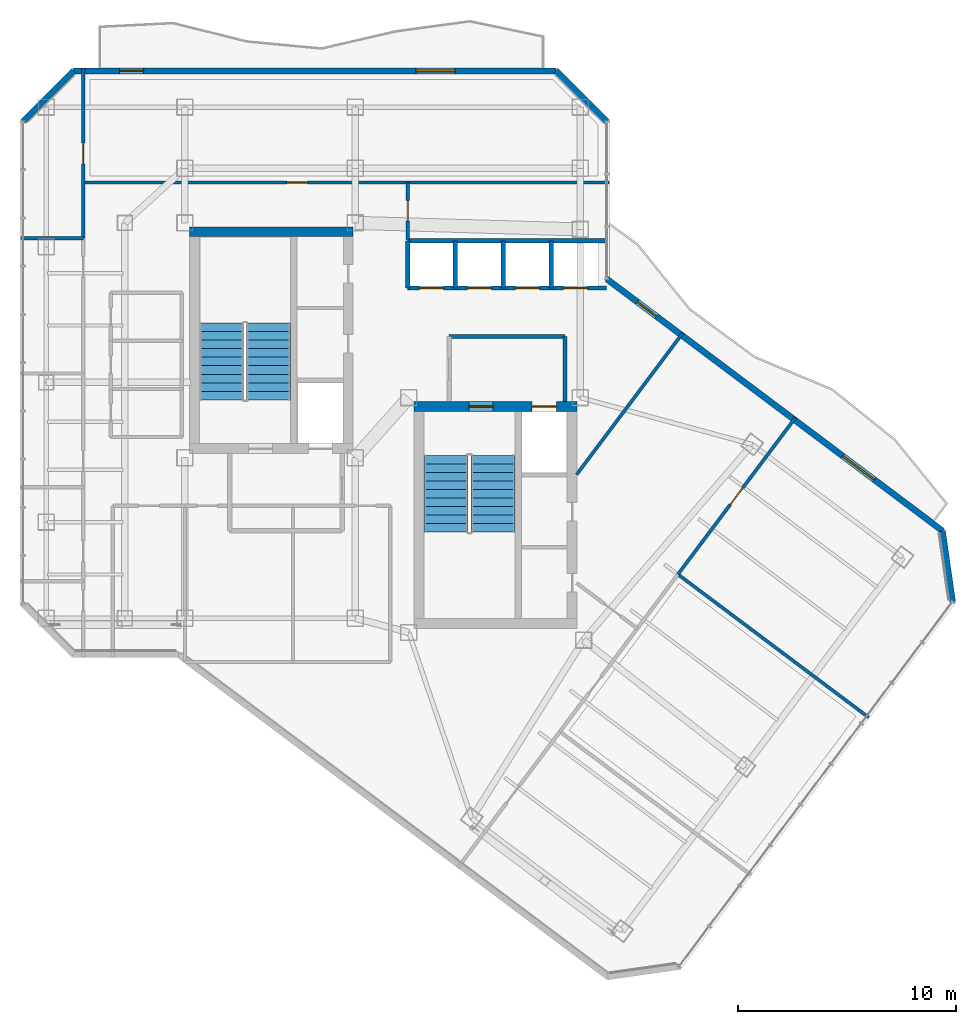
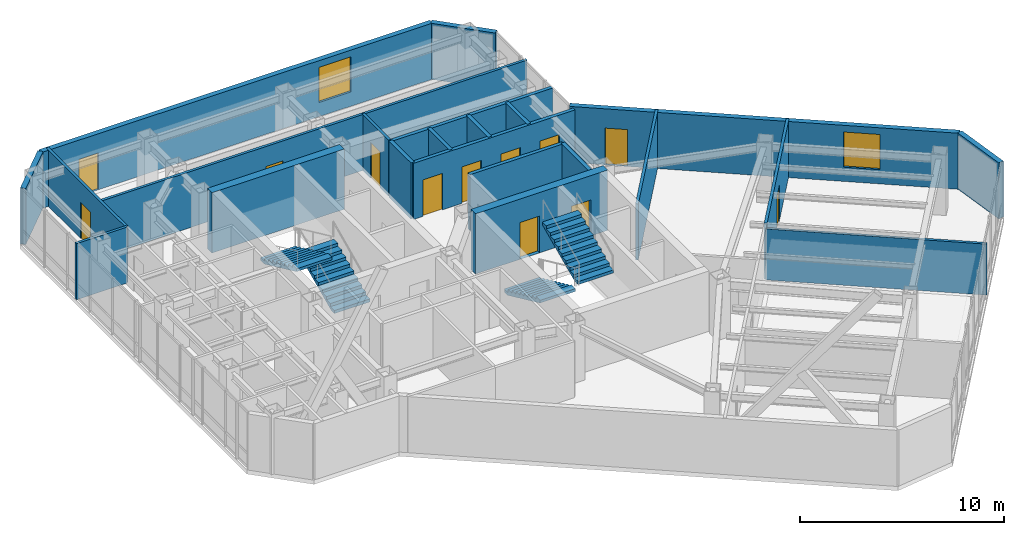
# One storey, part 21 of 24: 22 walls, 12 doors, 4 stair flights, 2 windows, 14 openings, 2 elements without a shape of their own.
"""IFC4 building model written with IfcOpenShell, lengths in metres."""

from ifc_helpers import new_model, si_unit, direction, frame, frame_2d, origin, place, context, subcontext, project, spatial, polyline, rectangle, outline, extrude, material, layer, layer_set, type_object, element, fill, aggregate, save


model = new_model("IFC4")

# Units and contexts
model_context = context("Model", 3, precision=1e-05, world=origin(), true_north=direction((0.0, 1.0)))
body_context = subcontext(model_context, "Body", "Model", "MODEL_VIEW")
ifc_project = project(units=[si_unit("LENGTHUNIT", "METRE"), si_unit("AREAUNIT", "SQUARE_METRE"), si_unit("VOLUMEUNIT", "CUBIC_METRE"), si_unit("PLANEANGLEUNIT", "RADIAN"), si_unit("MASSUNIT", "GRAM", prefix="KILO")], contexts=[model_context])

# Site, building, storey
site_placement = place(None, origin())
site = spatial("IfcSite", under=ifc_project, at=site_placement, CompositionType="ELEMENT")
building_placement = place(site_placement, origin())
building = spatial("IfcBuilding", under=site, at=building_placement, Name="Hatsunagi Terrace Concourse", CompositionType="ELEMENT")
storey_placement = place(building_placement, frame((0.0, 0.0, 213.14990234375)))
storey = spatial("IfcBuildingStorey", under=building, at=storey_placement, Name="L56", CompositionType="ELEMENT", Elevation=213.14990234375)

# Wall
ifc_material_1 = material(Name="Concrete Fc42", Category="concrete")
ifc_layer_1 = layer(ifc_material_1, 0.449951171875)
ifc_layer_set_1 = layer_set([ifc_layer_1], Name="CoreShearWall_Fc42_450")
wall_type_1 = type_object("IfcWallType", Name="CoreShearWall_Fc42_450", PredefinedType="SHEAR", material=ifc_layer_set_1)
wall_1_placement = place(storey_placement, frame((25.77001953125, 42.89501953125, 0.0), z_axis=(0.0, 0.0, 1.0), x_axis=(1.0, 0.0, 0.0)))
element("IfcWall", 1, at=wall_1_placement, inside=storey, type_object=wall_type_1, Name="Core A Shear Wall N L56", PredefinedType="SHEAR", context=body_context, shape_type="SweptSolid", body=[
    extrude(rectangle(XDim=7.47998046875, YDim=0.449951171875, at=frame_2d((3.739990234375, 0.0))), origin(), (0.0, 0.0, 1.0), 3.60009765625),
])

# Wall, openings, doors
wall_2_placement = place(storey_placement, frame((36.0400390625, 34.89501953125, 0.0), z_axis=(0.0, 0.0, 1.0), x_axis=(1.0, 0.0, 0.0)))
wall_2 = element("IfcWall", 2, at=wall_2_placement, inside=storey, type_object=wall_type_1, Name="Core B Shear Wall N L56", PredefinedType="SHEAR", context=body_context, shape_type="SweptSolid", body=[
    extrude(rectangle(XDim=7.4599609375, YDim=0.449951171875, at=frame_2d((3.72998046875, 0.0))), origin(), (0.0, 0.0, 1.0), 3.60009765625),
])
opening_1_placement = place(wall_2_placement, frame((2.510009765625, 0.0, 0.0)))
opening_1 = element("IfcOpeningElement", 3, at=opening_1_placement, cuts=wall_2, Name="Opening DR-110S", PredefinedType="OPENING", context=body_context, shape_type="SweptSolid", body=[
    extrude(rectangle(XDim=1.10009765625, YDim=2.199951171875, at=frame_2d((0.550048828125, 1.10009765625))), frame((0.0, 0.23486328125, 0.0), z_axis=(0.0, -1.0, 0.0), x_axis=(1.0, 0.0, 0.0)), (0.0, 0.0, 1.0), 0.469970703125),
])
opening_2_placement = place(wall_2_placement, frame((5.409912109375, 0.0, 0.0)))
opening_2 = element("IfcOpeningElement", 4, at=opening_2_placement, cuts=wall_2, Name="Opening LD-02", PredefinedType="OPENING", context=body_context, shape_type="SweptSolid", body=[
    extrude(rectangle(XDim=1.1201171875, YDim=2.14990234375, at=frame_2d((0.56005859375, 1.074951171875))), frame((0.0, 0.23486328125, 0.0), z_axis=(0.0, -1.0, 0.0), x_axis=(1.0, 0.0, 0.0)), (0.0, 0.0, 1.0), 0.469970703125),
])
ifc_material_2 = material(Name="Stainless steel", Category="steel")
door_type_1 = type_object("IfcDoorType", Name="LiftLandingDoor_LD02", OperationType="SLIDING_TO_RIGHT", PredefinedType="USERDEFINED", material=ifc_material_2)
door_1_placement = place(opening_2_placement, origin())
door_1 = element("IfcDoor", 5, at=door_1_placement, inside=storey, type_object=door_type_1, Name="Lift landing door FF-02 L56", ObjectType="SLIDING_LANDING_DOOR", OperationType="SLIDING_TO_RIGHT", OverallHeight=2.14990234375, OverallWidth=1.1201171875, PredefinedType="USERDEFINED", context=body_context, shape_type="SweptSolid", body=[
    extrude(rectangle(XDim=1.1201171875, YDim=2.14990234375, at=frame_2d((0.56005859375, 1.074951171875))), frame((0.0, 0.02490234375, 0.0), z_axis=(0.0, -1.0, 0.0), x_axis=(1.0, 0.0, 0.0)), (0.0, 0.0, 1.0), 0.050048828125),
])
fill(opening_2, door_1)
ifc_material_3 = material(Name="Painted steel", Category="steel")
door_type_2 = type_object("IfcDoorType", Name="StairFireDoor_EI60_1100", OperationType="NOTDEFINED", PredefinedType="DOOR", material=ifc_material_3)
door_2_placement = place(opening_1_placement, origin())
door_2 = element("IfcDoor", 6, at=door_2_placement, inside=storey, type_object=door_type_2, Name="Stair ST-B Exit Door L56", OperationType="SINGLE_SWING_RIGHT", OverallHeight=2.199951171875, OverallWidth=1.10009765625, PredefinedType="DOOR", context=body_context, shape_type="SweptSolid", body=[
    extrude(rectangle(XDim=1.10009765625, YDim=2.199951171875, at=frame_2d((0.550048828125, 1.10009765625))), frame((0.0, 0.02490234375, 0.0), z_axis=(0.0, -1.0, 0.0), x_axis=(1.0, 0.0, 0.0)), (0.0, 0.0, 1.0), 0.050048828125),
])
fill(opening_1, door_2)

# Wall
ifc_material_4 = material(Name="Acoustic mineral board", Category="gypsum")
ifc_layer_2 = layer(ifc_material_4, 0.14990234375)
ifc_layer_set_2 = layer_set([ifc_layer_2], Name="PartitionWall_EI60_150")
wall_type_2 = type_object("IfcWallType", Name="PartitionWall_EI60_150", PredefinedType="PARTITIONING", material=ifc_layer_set_2)
wall_3_placement = place(storey_placement, frame((18.0400390625, 42.60009765625, 0.0), z_axis=(0.0, 0.0, 1.0), x_axis=(1.0, 0.0, 0.0)))
element("IfcWall", 7, at=wall_3_placement, inside=storey, type_object=wall_type_2, Name="Interior Partition IW-L56-038", PredefinedType="PARTITIONING", context=body_context, shape_type="SweptSolid", body=[
    extrude(rectangle(XDim=2.85986328125, YDim=0.14990234375, at=frame_2d((1.429931640625, 0.0))), origin(), (0.0, 0.0, 1.0), 3.35009765625),
])

# Wall, opening, door
wall_4_placement = place(storey_placement, frame((20.89990234375, 42.60009765625, 0.0), z_axis=(0.0, 0.0, 1.0), x_axis=(0.0, 1.0, 0.0)))
wall_4 = element("IfcWall", 8, at=wall_4_placement, inside=storey, type_object=wall_type_2, Name="Interior Partition IW-L56-040", PredefinedType="PARTITIONING", context=body_context, shape_type="SweptSolid", body=[
    extrude(rectangle(XDim=7.760009765625, YDim=0.14990234375, at=frame_2d((3.8798828125, 0.0))), origin(), (0.0, 0.0, 1.0), 3.35009765625),
])
opening_3_placement = place(wall_4_placement, frame((3.405029296875, 0.0, 0.0)))
opening_3 = element("IfcOpeningElement", 9, at=opening_3_placement, cuts=wall_4, Name="Opening DR-095", PredefinedType="OPENING", context=body_context, shape_type="SweptSolid", body=[
    extrude(rectangle(XDim=0.949951171875, YDim=2.14990234375, at=frame_2d((0.47509765625, 1.074951171875))), frame((0.0, 0.0849609375, 0.0), z_axis=(0.0, -1.0, 0.0), x_axis=(1.0, 0.0, 0.0)), (0.0, 0.0, 1.0), 0.169921875),
])
ifc_material_5 = material(Name="Hardwood timber", Category="wood")
door_type_3 = type_object("IfcDoorType", Name="InteriorSuiteDoor_EI30_950", OperationType="NOTDEFINED", PredefinedType="DOOR", material=ifc_material_5)
door_3_placement = place(opening_3_placement, origin())
door_3 = element("IfcDoor", 10, at=door_3_placement, inside=storey, type_object=door_type_3, Name="Design Studio L56-OW5 Door", OperationType="SINGLE_SWING_RIGHT", OverallHeight=2.14990234375, OverallWidth=0.949951171875, PredefinedType="DOOR", context=body_context, shape_type="SweptSolid", body=[
    extrude(rectangle(XDim=0.949951171875, YDim=2.14990234375, at=frame_2d((0.47509765625, 1.074951171875))), frame((0.0, 0.02490234375, 0.0), z_axis=(0.0, -1.0, 0.0), x_axis=(1.0, 0.0, 0.0)), (0.0, 0.0, 1.0), 0.050048828125),
])
fill(opening_3, door_3)

wall_5_placement = place(storey_placement, frame((20.89990234375, 45.14990234375, 0.0), z_axis=(0.0, 0.0, 1.0), x_axis=(1.0, 0.0, 0.0)))
wall_5 = element("IfcWall", 11, at=wall_5_placement, inside=storey, type_object=wall_type_2, Name="Interior Partition IW-L56-041", PredefinedType="PARTITIONING", context=body_context, shape_type="SweptSolid", body=[
    extrude(rectangle(XDim=24.06005859375, YDim=0.14990234375, at=frame_2d((12.030029296875, 0.0))), origin(), (0.0, 0.0, 1.0), 3.35009765625),
])
opening_4_placement = place(wall_5_placement, frame((9.320068359375, 0.0, 0.0)))
opening_4 = element("IfcOpeningElement", 12, at=opening_4_placement, cuts=wall_5, Name="Opening DR-095", PredefinedType="OPENING", context=body_context, shape_type="SweptSolid", body=[
    extrude(rectangle(XDim=0.949951171875, YDim=2.14990234375, at=frame_2d((0.47509765625, 1.074951171875))), frame((0.0, 0.0849609375, 0.0), z_axis=(0.0, -1.0, 0.0), x_axis=(1.0, 0.0, 0.0)), (0.0, 0.0, 1.0), 0.169921875),
])
door_4_placement = place(opening_4_placement, origin())
door_4 = element("IfcDoor", 13, at=door_4_placement, inside=storey, type_object=door_type_3, Name="Boardroom L56-ON1 Door", OperationType="SINGLE_SWING_RIGHT", OverallHeight=2.14990234375, OverallWidth=0.949951171875, PredefinedType="DOOR", context=body_context, shape_type="SweptSolid", body=[
    extrude(rectangle(XDim=0.949951171875, YDim=2.14990234375, at=frame_2d((0.47509765625, 1.074951171875))), frame((0.0, 0.02490234375, 0.0), z_axis=(0.0, -1.0, 0.0), x_axis=(1.0, 0.0, 0.0)), (0.0, 0.0, 1.0), 0.050048828125),
])
fill(opening_4, door_4)

# Wall
wall_6_placement = place(storey_placement, frame((48.1201171875, 27.2099609375, 0.0), z_axis=(0.0, 0.0, 1.0), x_axis=(0.799997314611, -0.600003580502, 0.0)))
element("IfcWall", 14, at=wall_6_placement, inside=storey, type_object=wall_type_2, Name="Interior Partition IW-L56-044", PredefinedType="PARTITIONING", context=body_context, shape_type="SweptSolid", body=[
    extrude(rectangle(XDim=10.90966796875, YDim=0.14990234375, at=frame_2d((5.454833984375, 0.0))), origin(), (0.0, 0.0, 1.0), 3.045166015625),
])

# Wall, opening, door
wall_7_placement = place(storey_placement, frame((48.1201171875, 27.2099609375, 0.0), z_axis=(0.0, 0.0, 1.0), x_axis=(0.6, 0.8, 0.0)))
wall_7 = element("IfcWall", 15, at=wall_7_placement, inside=storey, type_object=wall_type_2, Name="Interior Partition IW-L56-046", PredefinedType="PARTITIONING", context=body_context, shape_type="SweptSolid", body=[
    extrude(rectangle(XDim=8.9599609375, YDim=0.14990234375, at=frame_2d((4.47998046875, 0.0))), origin(), (0.0, 0.0, 1.0), 3.35009765625),
])
opening_5_placement = place(wall_7_placement, frame((4.0048828125, 0.0, 0.0)))
opening_5 = element("IfcOpeningElement", 16, at=opening_5_placement, cuts=wall_7, Name="Opening DR-095", PredefinedType="OPENING", context=body_context, shape_type="SweptSolid", body=[
    extrude(rectangle(XDim=0.949951171875, YDim=2.14990234375, at=frame_2d((0.47509765625, 1.074951171875))), frame((0.0, 0.0849609375, 0.0), z_axis=(0.0, -1.0, 0.0), x_axis=(1.0, 0.0, 0.0)), (0.0, 0.0, 1.0), 0.169921875),
])
door_5_placement = place(opening_5_placement, origin())
door_5 = element("IfcDoor", 17, at=door_5_placement, inside=storey, type_object=door_type_3, Name="Research Focus Suite L56-OSE3 Door", OperationType="SINGLE_SWING_RIGHT", OverallHeight=2.14990234375, OverallWidth=0.949951171875, PredefinedType="DOOR", context=body_context, shape_type="SweptSolid", body=[
    extrude(rectangle(XDim=0.949951171875, YDim=2.14990234375, at=frame_2d((0.47509765625, 1.074951171875))), frame((0.0, 0.02490234375, 0.0), z_axis=(0.0, -1.0, 0.0), x_axis=(1.0, 0.0, 0.0)), (0.0, 0.0, 1.0), 0.050048828125),
])
fill(opening_5, door_5)

# Wall
wall_8_placement = place(storey_placement, frame((43.47998046875, 31.77294921875, 0.0), z_axis=(0.0, 0.0, 1.0), x_axis=(0.599971041729, 0.800021717885, 0.0)))
element("IfcWall", 18, at=wall_8_placement, inside=storey, type_object=wall_type_2, Name="Interior Partition IW-L56-048", PredefinedType="PARTITIONING", context=body_context, shape_type="SweptSolid", body=[
    extrude(rectangle(XDim=8.09375, YDim=0.14990234375, at=frame_2d((4.046875, 0.0))), origin(), (0.0, 0.0, 1.0), 3.35009765625),
])

# Wall, opening, door
wall_9_placement = place(storey_placement, frame((35.75, 42.550048828125, 0.0), z_axis=(0.0, 0.0, 1.0), x_axis=(0.0, 1.0, 0.0)))
wall_9 = element("IfcWall", 19, at=wall_9_placement, inside=storey, type_object=wall_type_2, Name="Interior Partition IW-L56-051", PredefinedType="PARTITIONING", context=body_context, shape_type="SweptSolid", body=[
    extrude(rectangle(XDim=2.599853515625, YDim=0.14990234375, at=frame_2d((1.2998046875, 0.0))), origin(), (0.0, 0.0, 1.0), 3.35009765625),
])
opening_6_placement = place(wall_9_placement, frame((0.824951171875, 0.0, 0.0)))
opening_6 = element("IfcOpeningElement", 20, at=opening_6_placement, cuts=wall_9, Name="Opening DR-095", PredefinedType="OPENING", context=body_context, shape_type="SweptSolid", body=[
    extrude(rectangle(XDim=0.949951171875, YDim=2.14990234375, at=frame_2d((0.47509765625, 1.074951171875))), frame((0.0, 0.0849609375, 0.0), z_axis=(0.0, -1.0, 0.0), x_axis=(1.0, 0.0, 0.0)), (0.0, 0.0, 1.0), 0.169921875),
])
door_6_placement = place(opening_6_placement, origin())
door_6 = element("IfcDoor", 21, at=door_6_placement, inside=storey, type_object=door_type_3, Name="Executive Briefing Room L56-ONEB Door", OperationType="SINGLE_SWING_RIGHT", OverallHeight=2.14990234375, OverallWidth=0.949951171875, PredefinedType="DOOR", context=body_context, shape_type="SweptSolid", body=[
    extrude(rectangle(XDim=0.949951171875, YDim=2.14990234375, at=frame_2d((0.47509765625, 1.074951171875))), frame((0.0, 0.02490234375, 0.0), z_axis=(0.0, -1.0, 0.0), x_axis=(1.0, 0.0, 0.0)), (0.0, 0.0, 1.0), 0.050048828125),
])
fill(opening_6, door_6)

# Walls
ifc_material_6 = material(Name="Acoustic mineral board", Category="gypsum")
ifc_layer_3 = layer(ifc_material_6, 0.199951171875)
ifc_layer_set_3 = layer_set([ifc_layer_3], Name="ShaftWall_EI120_200")
wall_type_3 = type_object("IfcWallType", Name="ShaftWall_EI120_200", PredefinedType="STANDARD", material=ifc_layer_set_3)
wall_10_placement = place(storey_placement, frame((37.64990234375, 38.10009765625, 0.0), z_axis=(0.0, 0.0, 1.0), x_axis=(1.0, 0.0, 0.0)))
element("IfcWall", 22, at=wall_10_placement, inside=storey, type_object=wall_type_3, Name="Interior Partition IW-L56-008", PredefinedType="STANDARD", context=body_context, shape_type="SweptSolid", body=[
    extrude(rectangle(XDim=5.300048828125, YDim=0.199951171875, at=frame_2d((2.64990234375, 0.0))), origin(), (0.0, 0.0, 1.0), 3.35009765625),
])
wall_11_placement = place(storey_placement, frame((42.949951171875, 35.1201171875, 0.0), z_axis=(0.0, 0.0, 1.0), x_axis=(0.0, 1.0, 0.0)))
element("IfcWall", 23, at=wall_11_placement, inside=storey, type_object=wall_type_3, Name="Interior Partition IW-L56-009", PredefinedType="STANDARD", context=body_context, shape_type="SweptSolid", body=[
    extrude(rectangle(XDim=2.97998046875, YDim=0.199951171875, at=frame_2d((1.489990234375, 0.0))), origin(), (0.0, 0.0, 1.0), 3.35009765625),
])
wall_12_placement = place(storey_placement, frame((35.75, 42.47998046875, 0.0), z_axis=(0.0, 0.0, 1.0), x_axis=(1.0, 0.0, 0.0)))
element("IfcWall", 24, at=wall_12_placement, inside=storey, type_object=wall_type_3, Name="Interior Partition IW-L56-011", PredefinedType="STANDARD", context=body_context, shape_type="SweptSolid", body=[
    extrude(rectangle(XDim=9.110107421875, YDim=0.199951171875, at=frame_2d((4.55517578125, 0.0))), origin(), (0.0, 0.0, 1.0), 3.35009765625),
])
for number, where, z_axis, x_axis, name in (
    (25, (35.75, 40.320068359375, 0.0), (0.0, 0.0, 1.0), (0.0, 1.0, 0.0), "Interior Partition IW-L56-012"),
    (26, (37.919921875, 40.320068359375, 0.0), (0.0, 0.0, 1.0), (0.0, 1.0, 0.0), "Interior Partition IW-L56-013"),
    (27, (40.1201171875, 40.320068359375, 0.0), (0.0, 0.0, 1.0), (0.0, 1.0, 0.0), "Interior Partition IW-L56-014"),
    (28, (42.320068359375, 40.320068359375, 0.0), (0.0, 0.0, 1.0), (0.0, 1.0, 0.0), "Interior Partition IW-L56-015"),
):
    element("IfcWall", number, at=place(storey_placement, frame(where, z_axis=z_axis, x_axis=x_axis)), inside=storey, type_object=wall_type_3, Name=name, PredefinedType="STANDARD", context=body_context, shape_type="SweptSolid", body=[
        extrude(rectangle(XDim=2.159912109375, YDim=0.199951171875, at=frame_2d((1.080078125, 0.0))), origin(), (0.0, 0.0, 1.0), 3.35009765625),
    ])

# Wall, openings, doors
wall_13_placement = place(storey_placement, frame((35.75, 40.320068359375, 0.0), z_axis=(0.0, 0.0, 1.0), x_axis=(1.0, 0.0, 0.0)))
wall_13 = element("IfcWall", 29, at=wall_13_placement, inside=storey, type_object=wall_type_3, Name="Interior Partition IW-L56-016", PredefinedType="STANDARD", context=body_context, shape_type="SweptSolid", body=[
    extrude(rectangle(XDim=9.110107421875, YDim=0.199951171875, at=frame_2d((4.55517578125, 0.0))), origin(), (0.0, 0.0, 1.0), 3.35009765625),
])
opening_7_placement = place(wall_13_placement, frame((0.530029296875, 0.0, 0.0)))
opening_7 = element("IfcOpeningElement", 30, at=opening_7_placement, cuts=wall_13, Name="Opening LD-04", PredefinedType="OPENING", context=body_context, shape_type="SweptSolid", body=[
    extrude(rectangle(XDim=1.10009765625, YDim=2.179931640625, at=frame_2d((0.550048828125, 1.08984375))), frame((0.0, 0.10986328125, 0.0), z_axis=(0.0, -1.0, 0.0), x_axis=(1.0, 0.0, 0.0)), (0.0, 0.0, 1.0), 0.219970703125),
])
opening_8_placement = place(wall_13_placement, frame((2.72998046875, 0.0, 0.0)))
opening_8 = element("IfcOpeningElement", 31, at=opening_8_placement, cuts=wall_13, Name="Opening LD-04", PredefinedType="OPENING", context=body_context, shape_type="SweptSolid", body=[
    extrude(rectangle(XDim=1.10009765625, YDim=2.179931640625, at=frame_2d((0.550048828125, 1.08984375))), frame((0.0, 0.10986328125, 0.0), z_axis=(0.0, -1.0, 0.0), x_axis=(1.0, 0.0, 0.0)), (0.0, 0.0, 1.0), 0.219970703125),
])
opening_9_placement = place(wall_13_placement, frame((4.929931640625, 0.0, 0.0)))
opening_9 = element("IfcOpeningElement", 32, at=opening_9_placement, cuts=wall_13, Name="Opening LD-04", PredefinedType="OPENING", context=body_context, shape_type="SweptSolid", body=[
    extrude(rectangle(XDim=1.10009765625, YDim=2.179931640625, at=frame_2d((0.550048828125, 1.08984375))), frame((0.0, 0.10986328125, 0.0), z_axis=(0.0, -1.0, 0.0), x_axis=(1.0, 0.0, 0.0)), (0.0, 0.0, 1.0), 0.219970703125),
])
opening_10_placement = place(wall_13_placement, frame((7.1298828125, 0.0, 0.0)))
opening_10 = element("IfcOpeningElement", 33, at=opening_10_placement, cuts=wall_13, Name="Opening LD-04", PredefinedType="OPENING", context=body_context, shape_type="SweptSolid", body=[
    extrude(rectangle(XDim=1.10009765625, YDim=2.179931640625, at=frame_2d((0.550048828125, 1.08984375))), frame((0.0, 0.10986328125, 0.0), z_axis=(0.0, -1.0, 0.0), x_axis=(1.0, 0.0, 0.0)), (0.0, 0.0, 1.0), 0.219970703125),
])
ifc_material_7 = material(Name="Stainless steel", Category="steel")
door_type_4 = type_object("IfcDoorType", Name="LiftLandingDoor_LD04", OperationType="SLIDING_TO_RIGHT", PredefinedType="USERDEFINED", material=ifc_material_7)
door_7_placement = place(opening_7_placement, origin())
door_7 = element("IfcDoor", 34, at=door_7_placement, inside=storey, type_object=door_type_4, Name="Lift landing door PL-05 L56", ObjectType="SLIDING_LANDING_DOOR", OperationType="SLIDING_TO_RIGHT", OverallHeight=2.179931640625, OverallWidth=1.10009765625, PredefinedType="USERDEFINED", context=body_context, shape_type="SweptSolid", body=[
    extrude(rectangle(XDim=1.10009765625, YDim=2.179931640625, at=frame_2d((0.550048828125, 1.08984375))), frame((0.0, 0.02490234375, 0.0), z_axis=(0.0, -1.0, 0.0), x_axis=(1.0, 0.0, 0.0)), (0.0, 0.0, 1.0), 0.050048828125),
])
fill(opening_7, door_7)
door_8_placement = place(opening_8_placement, origin())
door_8 = element("IfcDoor", 35, at=door_8_placement, inside=storey, type_object=door_type_4, Name="Lift landing door PL-06 L56", ObjectType="SLIDING_LANDING_DOOR", OperationType="SLIDING_TO_RIGHT", OverallHeight=2.179931640625, OverallWidth=1.10009765625, PredefinedType="USERDEFINED", context=body_context, shape_type="SweptSolid", body=[
    extrude(rectangle(XDim=1.10009765625, YDim=2.179931640625, at=frame_2d((0.550048828125, 1.08984375))), frame((0.0, 0.02490234375, 0.0), z_axis=(0.0, -1.0, 0.0), x_axis=(1.0, 0.0, 0.0)), (0.0, 0.0, 1.0), 0.050048828125),
])
fill(opening_8, door_8)
door_9_placement = place(opening_9_placement, origin())
door_9 = element("IfcDoor", 36, at=door_9_placement, inside=storey, type_object=door_type_4, Name="Lift landing door PL-07 L56", ObjectType="SLIDING_LANDING_DOOR", OperationType="SLIDING_TO_RIGHT", OverallHeight=2.179931640625, OverallWidth=1.10009765625, PredefinedType="USERDEFINED", context=body_context, shape_type="SweptSolid", body=[
    extrude(rectangle(XDim=1.10009765625, YDim=2.179931640625, at=frame_2d((0.550048828125, 1.08984375))), frame((0.0, 0.02490234375, 0.0), z_axis=(0.0, -1.0, 0.0), x_axis=(1.0, 0.0, 0.0)), (0.0, 0.0, 1.0), 0.050048828125),
])
fill(opening_9, door_9)
door_10_placement = place(opening_10_placement, origin())
door_10 = element("IfcDoor", 37, at=door_10_placement, inside=storey, type_object=door_type_4, Name="Lift landing door PL-08 L56", ObjectType="SLIDING_LANDING_DOOR", OperationType="SLIDING_TO_RIGHT", OverallHeight=2.179931640625, OverallWidth=1.10009765625, PredefinedType="USERDEFINED", context=body_context, shape_type="SweptSolid", body=[
    extrude(rectangle(XDim=1.10009765625, YDim=2.179931640625, at=frame_2d((0.550048828125, 1.08984375))), frame((0.0, 0.02490234375, 0.0), z_axis=(0.0, -1.0, 0.0), x_axis=(1.0, 0.0, 0.0)), (0.0, 0.0, 1.0), 0.050048828125),
])
fill(opening_10, door_10)

# Wall, openings, door, window
ifc_material_8 = material(Name="Autoclaved Lightweight Concrete and Terracotta Cladding", Category="masonry")
ifc_layer_4 = layer(ifc_material_8, 0.280029296875)
ifc_layer_set_4 = layer_set([ifc_layer_4], Name="TerracottaSpandrelWall_280")
wall_type_4 = type_object("IfcWallType", Name="TerracottaSpandrelWall_280", PredefinedType="STANDARD", material=ifc_layer_set_4)
wall_14_placement = place(storey_placement, frame((44.860107421875, 40.72998046875, 0.0), z_axis=(0.0, 0.0, 1.0), x_axis=(0.800007624502, -0.599989833863, 0.0)))
wall_14 = element("IfcWall", 38, at=wall_14_placement, inside=storey, type_object=wall_type_4, Name="Exterior Spandrel Wall EW-L56-01", PredefinedType="STANDARD", context=body_context, shape_type="SweptSolid", body=[
    extrude(rectangle(XDim=19.212158203125, YDim=0.280029296875, at=frame_2d((9.60595703125, 0.0))), origin(), (0.0, 0.0, 1.0), 3.35009765625),
])
opening_11_placement = place(wall_14_placement, frame((1.7548828125, 0.0, 0.0)))
opening_11 = element("IfcOpeningElement", 39, at=opening_11_placement, cuts=wall_14, Name="Opening BD-01", PredefinedType="OPENING", context=body_context, shape_type="SweptSolid", body=[
    extrude(rectangle(XDim=1.10009765625, YDim=2.199951171875, at=frame_2d((0.550048828125, 1.10009765625))), frame((0.0, 0.14990234375, 0.0), z_axis=(0.0, -1.0, 0.0), x_axis=(1.0, 0.0, 0.0)), (0.0, 0.0, 1.0), 0.300048828125),
])
opening_12_placement = place(wall_14_placement, frame((13.509033203125, 0.0, 0.85009765625)))
opening_12 = element("IfcOpeningElement", 40, at=opening_12_placement, cuts=wall_14, Name="Opening WIN-03", PredefinedType="OPENING", context=body_context, shape_type="SweptSolid", body=[
    extrude(rectangle(XDim=1.800048828125, YDim=2.10009765625, at=frame_2d((0.89990234375, 1.050048828125))), frame((0.0, 0.14990234375, 0.0), z_axis=(0.0, -1.0, 0.0), x_axis=(1.0, 0.0, 0.0)), (0.0, 0.0, 1.0), 0.300048828125),
])
ifc_material_9 = material(Name="Galvanised Steel and Laminated Safety Glass", Category="steel")
door_type_5 = type_object("IfcDoorType", Name="BalconyTerraceAccessDoor_1100x2200", OperationType="SINGLE_SWING_LEFT", PredefinedType="DOOR", material=ifc_material_9)
door_11_placement = place(opening_11_placement, origin())
door_11 = element("IfcDoor", 41, at=door_11_placement, inside=storey, type_object=door_type_5, Name="Engawa Balcony Door L56-BSE", OperationType="SINGLE_SWING_LEFT", OverallHeight=2.199951171875, OverallWidth=1.10009765625, PredefinedType="DOOR", context=body_context, shape_type="SweptSolid", body=[
    extrude(rectangle(XDim=1.10009765625, YDim=2.199951171875, at=frame_2d((0.550048828125, 1.10009765625))), frame((0.0, 0.02490234375, 0.0), z_axis=(0.0, -1.0, 0.0), x_axis=(1.0, 0.0, 0.0)), (0.0, 0.0, 1.0), 0.050048828125),
])
fill(opening_11, door_11)
ifc_material_10 = material(Name="Thermally Broken Aluminium and Low-E Triple Glazing", Category="aluminium")
window_type = type_object("IfcWindowType", Name="OfficeCornerFeatureWindow_1800x2100", PartitioningType="SINGLE_PANEL", PredefinedType="WINDOW", material=ifc_material_10)
window_1_placement = place(opening_12_placement, origin())
window_1 = element("IfcWindow", 42, at=window_1_placement, inside=storey, type_object=window_type, Name="Balcony Daylighting Window L56-01-2", OverallHeight=2.10009765625, OverallWidth=1.800048828125, PartitioningType="SINGLE_PANEL", PredefinedType="WINDOW", context=body_context, shape_type="SweptSolid", body=[
    extrude(rectangle(XDim=1.800048828125, YDim=2.10009765625, at=frame_2d((0.89990234375, 1.050048828125))), frame((0.0, 0.030029296875, 0.0), z_axis=(0.0, -1.0, 0.0), x_axis=(1.0, 0.0, 0.0)), (0.0, 0.0, 1.0), 0.06005859375),
])
fill(opening_12, window_1)

# Walls
wall_15_placement = place(storey_placement, frame((60.22998046875, 29.202880859375, 0.0), z_axis=(0.0, 0.0, 1.0), x_axis=(0.141296221922, -0.989967361922, 0.0)))
element("IfcWall", 43, at=wall_15_placement, inside=storey, type_object=wall_type_4, Name="Exterior Spandrel Wall EW-L56-02", PredefinedType="STANDARD", context=body_context, shape_type="SweptSolid", body=[
    extrude(rectangle(XDim=3.27783203125, YDim=0.280029296875, at=frame_2d((1.638916015625, 0.0))), origin(), (0.0, 0.0, 1.0), 3.35009765625),
])
wall_16_placement = place(storey_placement, frame((18.139892578125, 47.94189453125, 0.0), z_axis=(0.0, 0.0, 1.0), x_axis=(0.707106781187, 0.707106781187, 0.0)))
element("IfcWall", 44, at=wall_16_placement, inside=storey, type_object=wall_type_4, Name="Exterior Spandrel Wall EW-L56-09", PredefinedType="STANDARD", context=body_context, shape_type="SweptSolid", body=[
    extrude(rectangle(XDim=3.2783203125, YDim=0.280029296875, at=frame_2d((1.63916015625, 0.0))), origin(), (0.0, 0.0, 1.0), 3.35009765625),
])

# Wall, openings, door, window
wall_17_placement = place(storey_placement, frame((20.4580078125, 50.260009765625, 0.0), z_axis=(0.0, 0.0, 1.0), x_axis=(1.0, 0.0, 0.0)))
wall_17 = element("IfcWall", 45, at=wall_17_placement, inside=storey, type_object=wall_type_4, Name="Exterior Spandrel Wall EW-L56-10", PredefinedType="STANDARD", context=body_context, shape_type="SweptSolid", body=[
    extrude(rectangle(XDim=22.083984375, YDim=0.280029296875, at=frame_2d((11.0419921875, 0.0))), origin(), (0.0, 0.0, 1.0), 3.35009765625),
])
opening_13_placement = place(wall_17_placement, frame((2.10009765625, 0.0, 0.0)))
opening_13 = element("IfcOpeningElement", 46, at=opening_13_placement, cuts=wall_17, Name="Opening BD-01", PredefinedType="OPENING", context=body_context, shape_type="SweptSolid", body=[
    extrude(rectangle(XDim=1.10009765625, YDim=2.199951171875, at=frame_2d((0.550048828125, 1.10009765625))), frame((0.0, 0.14990234375, 0.0), z_axis=(0.0, -1.0, 0.0), x_axis=(1.0, 0.0, 0.0)), (0.0, 0.0, 1.0), 0.300048828125),
])
opening_14_placement = place(wall_17_placement, frame((15.6630859375, 0.0, 0.85009765625)))
opening_14 = element("IfcOpeningElement", 47, at=opening_14_placement, cuts=wall_17, Name="Opening WIN-03", PredefinedType="OPENING", context=body_context, shape_type="SweptSolid", body=[
    extrude(rectangle(XDim=1.800048828125, YDim=2.10009765625, at=frame_2d((0.89990234375, 1.050048828125))), frame((0.0, 0.14990234375, 0.0), z_axis=(0.0, -1.0, 0.0), x_axis=(1.0, 0.0, 0.0)), (0.0, 0.0, 1.0), 0.300048828125),
])
door_12_placement = place(opening_13_placement, origin())
door_12 = element("IfcDoor", 48, at=door_12_placement, inside=storey, type_object=door_type_5, Name="Engawa Balcony Door L56-BN", OperationType="SINGLE_SWING_RIGHT", OverallHeight=2.199951171875, OverallWidth=1.10009765625, PredefinedType="DOOR", context=body_context, shape_type="SweptSolid", body=[
    extrude(rectangle(XDim=1.10009765625, YDim=2.199951171875, at=frame_2d((0.550048828125, 1.10009765625))), frame((0.0, 0.02490234375, 0.0), z_axis=(0.0, -1.0, 0.0), x_axis=(1.0, 0.0, 0.0)), (0.0, 0.0, 1.0), 0.050048828125),
])
fill(opening_13, door_12)
window_2_placement = place(opening_14_placement, origin())
window_2 = element("IfcWindow", 49, at=window_2_placement, inside=storey, type_object=window_type, Name="Balcony Daylighting Window L56-10-2", OverallHeight=2.10009765625, OverallWidth=1.800048828125, PartitioningType="SINGLE_PANEL", PredefinedType="WINDOW", context=body_context, shape_type="SweptSolid", body=[
    extrude(rectangle(XDim=1.800048828125, YDim=2.10009765625, at=frame_2d((0.89990234375, 1.050048828125))), frame((0.0, 0.030029296875, 0.0), z_axis=(0.0, -1.0, 0.0), x_axis=(1.0, 0.0, 0.0)), (0.0, 0.0, 1.0), 0.06005859375),
])
fill(opening_14, window_2)

# Wall
wall_18_placement = place(storey_placement, frame((42.5419921875, 50.260009765625, 0.0), z_axis=(0.0, 0.0, 1.0), x_axis=(0.707106781187, -0.707106781187, 0.0)))
element("IfcWall", 50, at=wall_18_placement, inside=storey, type_object=wall_type_4, Name="Exterior Spandrel Wall EW-L56-11", PredefinedType="STANDARD", context=body_context, shape_type="SweptSolid", body=[
    extrude(rectangle(XDim=3.2783203125, YDim=0.280029296875, at=frame_2d((1.63916015625, 0.0))), origin(), (0.0, 0.0, 1.0), 3.35009765625),
])

# Stair, stair flights
ifc_material_11 = material(Name="Concrete Fc42", Category="concrete")
stair_type = type_object("IfcStairType", Name="DoglegExitStair_Tower2000_20R_180", PredefinedType="HALF_TURN_STAIR", material=ifc_material_11)
stair_1_placement = place(storey_placement, origin())
stair_1 = element("IfcStair", 51, at=stair_1_placement, inside=storey, type_object=stair_type, Name="L56 Core A Protected Exit Stair ST-A", PredefinedType="HALF_TURN_STAIR")
ifc_material_12 = material(Name="Concrete Fc42", Category="concrete")
stair_flight_type = type_object("IfcStairFlightType", Name="DoglegStairFlight_Tower2000_20R_180", PredefinedType="STRAIGHT", material=ifc_material_12)
stair_flight_1_placement = place(storey_placement, frame((29.3798828125, 35.199951171875, 0.0), z_axis=(0.0, 0.0, 1.0), x_axis=(0.0, 1.0, 0.0)))
stair_flight_1 = element("IfcStairFlight", 52, at=stair_flight_1_placement, type_object=stair_flight_type, Name="ST-A flight 1", NumberOfRisers=10, NumberOfTreads=9, PredefinedType="STRAIGHT", RiserHeight=0.18, TreadLength=0.39, context=body_context, shape_type="SweptSolid", body=[
    extrude(outline(polyline([(0.0, 0.0), (0.0, 0.179931640625), (0.389892578125, 0.179931640625), (0.389892578125, 0.360107421875), (0.780029296875, 0.360107421875), (0.780029296875, 0.5400390625), (1.169921875, 0.5400390625), (1.169921875, 0.719970703125), (1.56005859375, 0.719970703125), (1.56005859375, 0.89990234375), (1.949951171875, 0.89990234375), (1.949951171875, 1.080078125), (2.340087890625, 1.080078125), (2.340087890625, 1.260009765625), (2.72998046875, 1.260009765625), (2.72998046875, 1.43994140625), (3.1201171875, 1.43994140625), (3.1201171875, 1.6201171875), (3.510009765625, 1.6201171875), (3.510009765625, 1.800048828125), (3.510009765625, 1.454833984375), (0.357666015625, 0.0), (0.0, 0.0)])), frame((0.0, 1.0, 0.0), z_axis=(0.0, -1.0, 0.0), x_axis=(1.0, 0.0, 0.0)), (0.0, 0.0, 1.0), 2.0),
])
stair_flight_2_placement = place(storey_placement, frame((27.22998046875, 38.7099609375, 1.800048828125), z_axis=(0.0, 0.0, 1.0), x_axis=(0.0, -1.0, 0.0)))
stair_flight_2 = element("IfcStairFlight", 53, at=stair_flight_2_placement, type_object=stair_flight_type, Name="ST-A flight 2", NumberOfRisers=10, NumberOfTreads=9, PredefinedType="STRAIGHT", RiserHeight=0.18, TreadLength=0.39, context=body_context, shape_type="SweptSolid", body=[
    extrude(outline(polyline([(0.0, 0.0), (0.0, 0.179931640625), (0.389892578125, 0.179931640625), (0.389892578125, 0.360107421875), (0.780029296875, 0.360107421875), (0.780029296875, 0.5400390625), (1.169921875, 0.5400390625), (1.169921875, 0.719970703125), (1.56005859375, 0.719970703125), (1.56005859375, 0.89990234375), (1.949951171875, 0.89990234375), (1.949951171875, 1.080078125), (2.340087890625, 1.080078125), (2.340087890625, 1.260009765625), (2.72998046875, 1.260009765625), (2.72998046875, 1.43994140625), (3.1201171875, 1.43994140625), (3.1201171875, 1.6201171875), (3.510009765625, 1.6201171875), (3.510009765625, 1.800048828125), (3.510009765625, 1.454833984375), (0.357666015625, 0.0), (0.0, 0.0)])), frame((0.0, 1.0, 0.0), z_axis=(0.0, -1.0, 0.0), x_axis=(1.0, 0.0, 0.0)), (0.0, 0.0, 1.0), 2.0),
])
aggregate(stair_1, [stair_flight_1, stair_flight_2])

stair_2_placement = place(storey_placement, origin())
stair_2 = element("IfcStair", 54, at=stair_2_placement, inside=storey, type_object=stair_type, Name="L56 Core B Protected Exit Stair ST-B", PredefinedType="HALF_TURN_STAIR")
stair_flight_3_placement = place(storey_placement, frame((37.5, 32.659912109375, 0.0), z_axis=(0.0, 0.0, 1.0), x_axis=(0.0, -1.0, 0.0)))
stair_flight_3 = element("IfcStairFlight", 55, at=stair_flight_3_placement, type_object=stair_flight_type, Name="ST-B flight 1", NumberOfRisers=10, NumberOfTreads=9, PredefinedType="STRAIGHT", RiserHeight=0.18, TreadLength=0.39, context=body_context, shape_type="SweptSolid", body=[
    extrude(outline(polyline([(0.0, 0.0), (0.0, 0.179931640625), (0.389892578125, 0.179931640625), (0.389892578125, 0.360107421875), (0.780029296875, 0.360107421875), (0.780029296875, 0.5400390625), (1.169921875, 0.5400390625), (1.169921875, 0.719970703125), (1.56005859375, 0.719970703125), (1.56005859375, 0.89990234375), (1.949951171875, 0.89990234375), (1.949951171875, 1.080078125), (2.340087890625, 1.080078125), (2.340087890625, 1.260009765625), (2.72998046875, 1.260009765625), (2.72998046875, 1.43994140625), (3.1201171875, 1.43994140625), (3.1201171875, 1.6201171875), (3.510009765625, 1.6201171875), (3.510009765625, 1.800048828125), (3.510009765625, 1.454833984375), (0.357666015625, 0.0), (0.0, 0.0)])), frame((0.0, 1.0, 0.0), z_axis=(0.0, -1.0, 0.0), x_axis=(1.0, 0.0, 0.0)), (0.0, 0.0, 1.0), 2.0),
])
stair_flight_4_placement = place(storey_placement, frame((39.64990234375, 29.14990234375, 1.800048828125), z_axis=(0.0, 0.0, 1.0), x_axis=(0.0, 1.0, 0.0)))
stair_flight_4 = element("IfcStairFlight", 56, at=stair_flight_4_placement, type_object=stair_flight_type, Name="ST-B flight 2", NumberOfRisers=10, NumberOfTreads=9, PredefinedType="STRAIGHT", RiserHeight=0.18, TreadLength=0.39, context=body_context, shape_type="SweptSolid", body=[
    extrude(outline(polyline([(0.0, 0.0), (0.0, 0.179931640625), (0.389892578125, 0.179931640625), (0.389892578125, 0.360107421875), (0.780029296875, 0.360107421875), (0.780029296875, 0.5400390625), (1.169921875, 0.5400390625), (1.169921875, 0.719970703125), (1.56005859375, 0.719970703125), (1.56005859375, 0.89990234375), (1.949951171875, 0.89990234375), (1.949951171875, 1.080078125), (2.340087890625, 1.080078125), (2.340087890625, 1.260009765625), (2.72998046875, 1.260009765625), (2.72998046875, 1.43994140625), (3.1201171875, 1.43994140625), (3.1201171875, 1.6201171875), (3.510009765625, 1.6201171875), (3.510009765625, 1.800048828125), (3.510009765625, 1.454833984375), (0.357666015625, 0.0), (0.0, 0.0)])), frame((0.0, 1.0, 0.0), z_axis=(0.0, -1.0, 0.0), x_axis=(1.0, 0.0, 0.0)), (0.0, 0.0, 1.0), 2.0),
])
aggregate(stair_2, [stair_flight_3, stair_flight_4])

save(model, "model.ifc")
